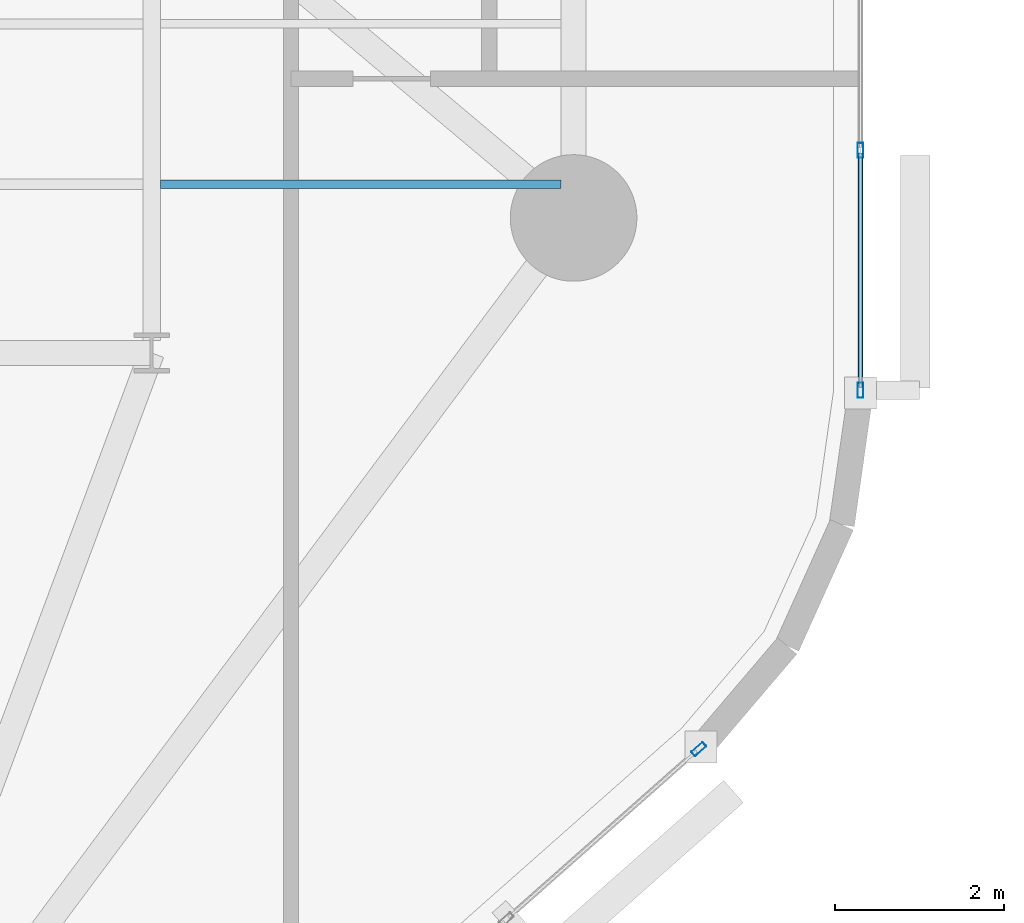
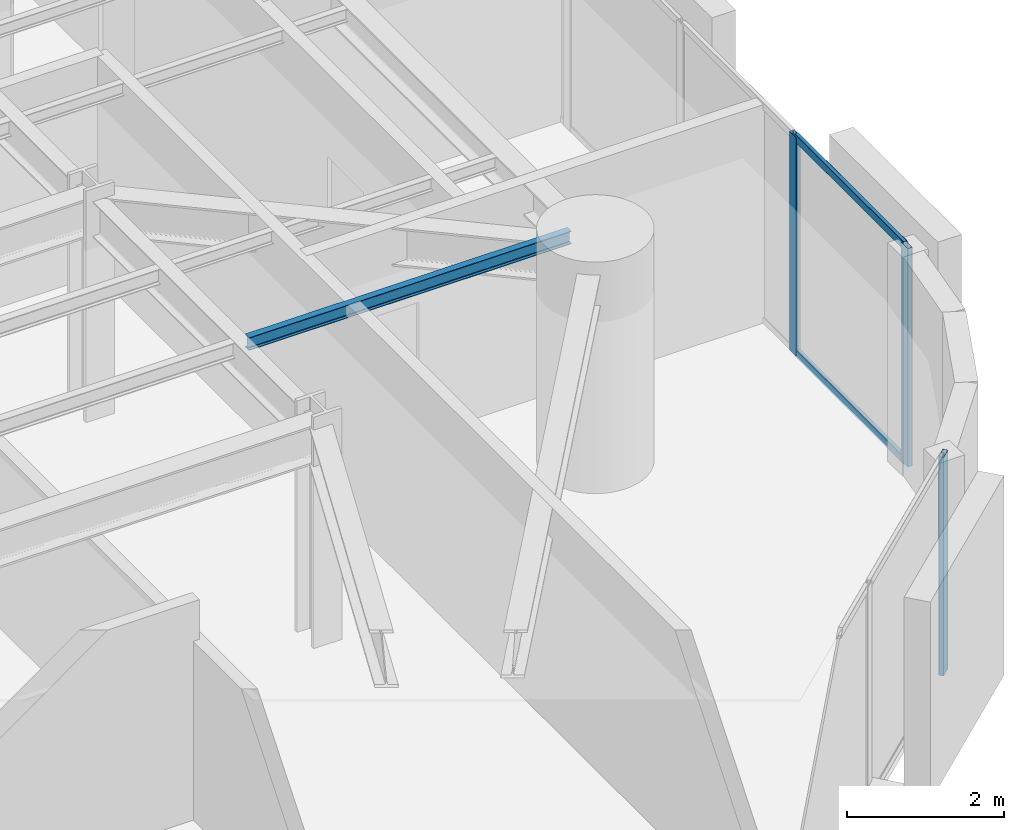
# One storey, part 4 of 16: 5 members, 1 beam, 2 elements without a shape of their own.
"""IFC4 building model written with IfcOpenShell, lengths in metres."""

from ifc_helpers import new_model, si_unit, direction, frame, origin, origin_2d, place, context, subcontext, project, spatial, hollow_rectangle, i_section, extrude, material, layer, layer_set, material_profile, profile_set, type_object, element, aggregate, save


model = new_model("IFC4")

# Units and contexts
model_context = context("Model", 3, precision=1e-05, world=origin(), true_north=direction((0.0, 1.0)))
body_context = subcontext(model_context, "Body", "Model", "MODEL_VIEW")
ifc_project = project(units=[si_unit("LENGTHUNIT", "METRE"), si_unit("AREAUNIT", "SQUARE_METRE"), si_unit("VOLUMEUNIT", "CUBIC_METRE"), si_unit("PLANEANGLEUNIT", "RADIAN"), si_unit("MASSUNIT", "GRAM", prefix="KILO")], contexts=[model_context])

# Site, building, storey
site_placement = place(None, origin())
site = spatial("IfcSite", under=ifc_project, at=site_placement, CompositionType="ELEMENT")
building_placement = place(site_placement, origin())
building = spatial("IfcBuilding", under=site, at=building_placement, Name="An Khanh Terracotta Commons", CompositionType="ELEMENT")
storey_placement = place(building_placement, frame((0.0, 0.0, 50.39990234375)))
storey = spatial("IfcBuildingStorey", under=building, at=storey_placement, Name="L13", CompositionType="ELEMENT", Elevation=50.39990234375)

# Beam
ifc_material_1 = material(Name="Steel S355J2", Category="steel")
ifc_material_profile_1 = material_profile(ifc_material_1, i_section(OverallWidth=0.10009765625, OverallDepth=0.199951171875, WebThickness=0.005615234375, FlangeThickness=0.008544921875, FilletRadius=0.011962890625, at=origin_2d()), Name="IPE200")
ifc_profile_set_1 = profile_set([ifc_material_profile_1], Name="Steel S355J2")
beam_type = type_object("IfcBeamType", Name="BM-IPE200", PredefinedType="JOIST", material=ifc_profile_set_1)
beam_placement = place(storey_placement, frame((43.304931640625, 16.39990234375, 3.300048828125), z_axis=(1.0, 0.0, 0.0), x_axis=(0.0, 1.0, 0.0)))
element("IfcBeam", 1, at=beam_placement, inside=storey, type_object=beam_type, Name="L13 Riverfront Composite Joist 1", PredefinedType="JOIST", context=body_context, shape_type="SweptSolid", body=[
    extrude(i_section(OverallWidth=0.10009765625, OverallDepth=0.199951171875, WebThickness=0.005615234375, FlangeThickness=0.008544921875, FilletRadius=0.011962890625, at=origin_2d()), origin(), (0.0, 0.0, 1.0), 4.7451171875),
])

# Curtain wall, member
ifc_material_2 = material(Name="Anodised Aluminium 6063-T6", Category="aluminium")
ifc_layer = layer(ifc_material_2, 0.199951171875, Name="Anodised Aluminium 6063-T6")
ifc_layer_set = layer_set([ifc_layer], Name="Anodised Aluminium 6063-T6")
curtain_wall_type = type_object("IfcCurtainWallType", Name="CW-SYS-02", PredefinedType="USERDEFINED", material=ifc_layer_set)
curtain_wall_1_placement = place(storey_placement, origin())
curtain_wall_1 = element("IfcCurtainWall", 2, at=curtain_wall_1_placement, inside=storey, type_object=curtain_wall_type, Name="L13 CW-02 Unitised Curtain Wall CW-L13-08", ObjectType="UNITISED CURTAIN WALL", PredefinedType="USERDEFINED")
ifc_material_profile_2 = material_profile(ifc_material_2, hollow_rectangle(XDim=0.070068359375, YDim=0.179931640625, WallThickness=0.00390625, InnerFilletRadius=0.00390625, OuterFilletRadius=0.008056640625, at=origin_2d()), Name="RHS180x70x4")
ifc_profile_set_2 = profile_set([ifc_material_profile_2], Name="Anodised Aluminium 6063-T6")
member_type_1 = type_object("IfcMemberType", Name="CWM-RHS180x70x4", PredefinedType="MULLION", material=ifc_profile_set_2)
member_1_placement = place(storey_placement, frame((49.683837890625, 9.704833984375, 0.0), z_axis=(0.0, 0.0, 1.0), x_axis=(-0.662548195415, 0.749019284633, 0.0)))
member_1 = element("IfcMember", 3, at=member_1_placement, type_object=member_type_1, Name="CW-02 mullion 4", PredefinedType="MULLION", context=body_context, shape_type="SweptSolid", body=[
    extrude(hollow_rectangle(XDim=0.070068359375, YDim=0.179931640625, WallThickness=0.00390625, InnerFilletRadius=0.00390625, OuterFilletRadius=0.008056640625, at=origin_2d()), origin(), (0.0, 0.0, 1.0), 3.400146484375),
])
aggregate(curtain_wall_1, [member_1])

# Curtain wall, members
curtain_wall_2_placement = place(storey_placement, origin())
curtain_wall_2 = element("IfcCurtainWall", 4, at=curtain_wall_2_placement, inside=storey, type_object=curtain_wall_type, Name="L13 CW-02 Unitised Curtain Wall CW-L13-12", ObjectType="UNITISED CURTAIN WALL", PredefinedType="USERDEFINED")
member_2_placement = place(storey_placement, frame((51.60009765625, 13.9580078125, 0.0), z_axis=(0.0, 0.0, 1.0), x_axis=(-1.0, 0.0, 0.0)))
member_2 = element("IfcMember", 5, at=member_2_placement, type_object=member_type_1, Name="CW-02 mullion 1", PredefinedType="MULLION", context=body_context, shape_type="SweptSolid", body=[
    extrude(hollow_rectangle(XDim=0.070068359375, YDim=0.179931640625, WallThickness=0.00390625, InnerFilletRadius=0.00390625, OuterFilletRadius=0.008056640625, at=origin_2d()), origin(), (0.0, 0.0, 1.0), 3.400146484375),
])
member_3_placement = place(storey_placement, frame((51.60009765625, 16.80224609375, 0.0), z_axis=(0.0, 0.0, 1.0), x_axis=(-1.0, 0.0, 0.0)))
member_3 = element("IfcMember", 6, at=member_3_placement, type_object=member_type_1, Name="CW-02 mullion 2", PredefinedType="MULLION", context=body_context, shape_type="SweptSolid", body=[
    extrude(hollow_rectangle(XDim=0.070068359375, YDim=0.179931640625, WallThickness=0.00390625, InnerFilletRadius=0.00390625, OuterFilletRadius=0.008056640625, at=origin_2d()), origin(), (0.0, 0.0, 1.0), 3.400146484375),
])
ifc_material_profile_3 = material_profile(ifc_material_2, hollow_rectangle(XDim=0.06005859375, YDim=0.1201171875, WallThickness=0.003662109375, InnerFilletRadius=0.003662109375, OuterFilletRadius=0.007080078125, at=origin_2d()), Name="RHS120x60x3.6")
ifc_profile_set_3 = profile_set([ifc_material_profile_3], Name="Anodised Aluminium 6063-T6")
member_type_2 = type_object("IfcMemberType", Name="CWT-RHS120x60x3.6", PredefinedType="USERDEFINED", material=ifc_profile_set_3)
member_4_placement = place(storey_placement, frame((51.60009765625, 13.992919921875, 0.030029296875), z_axis=(0.0, 1.0, 0.0), x_axis=(-1.0, 0.0, 0.0)))
member_4 = element("IfcMember", 7, at=member_4_placement, type_object=member_type_2, Name="CW-02 transom 1.1", ObjectType="TRANSOM", PredefinedType="USERDEFINED", context=body_context, shape_type="SweptSolid", body=[
    extrude(hollow_rectangle(XDim=0.06005859375, YDim=0.1201171875, WallThickness=0.003662109375, InnerFilletRadius=0.003662109375, OuterFilletRadius=0.007080078125, at=origin_2d()), origin(), (0.0, 0.0, 1.0), 2.774169921875),
])
member_5_placement = place(storey_placement, frame((51.60009765625, 13.992919921875, 3.3701171875), z_axis=(0.0, 1.0, 0.0), x_axis=(-1.0, 0.0, 0.0)))
member_5 = element("IfcMember", 8, at=member_5_placement, type_object=member_type_2, Name="CW-02 transom 1.2", ObjectType="TRANSOM", PredefinedType="USERDEFINED", context=body_context, shape_type="SweptSolid", body=[
    extrude(hollow_rectangle(XDim=0.06005859375, YDim=0.1201171875, WallThickness=0.003662109375, InnerFilletRadius=0.003662109375, OuterFilletRadius=0.007080078125, at=origin_2d()), origin(), (0.0, 0.0, 1.0), 2.774169921875),
])
aggregate(curtain_wall_2, [member_2, member_3, member_4, member_5])

save(model, "model.ifc")
